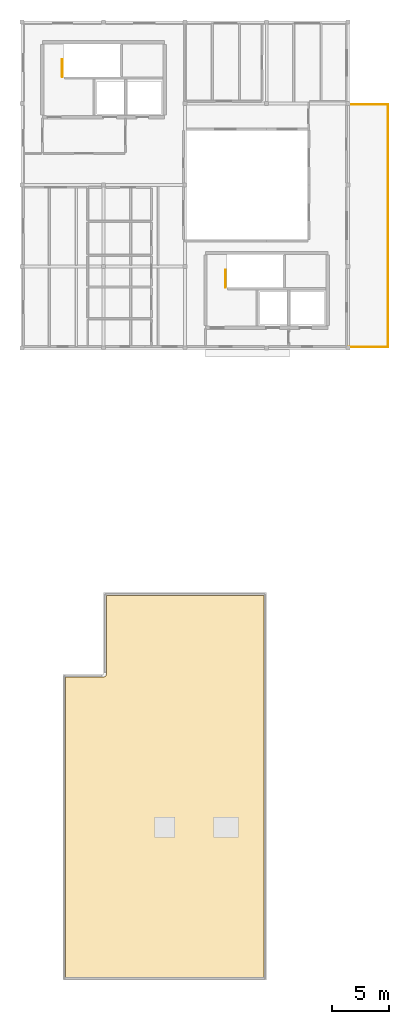
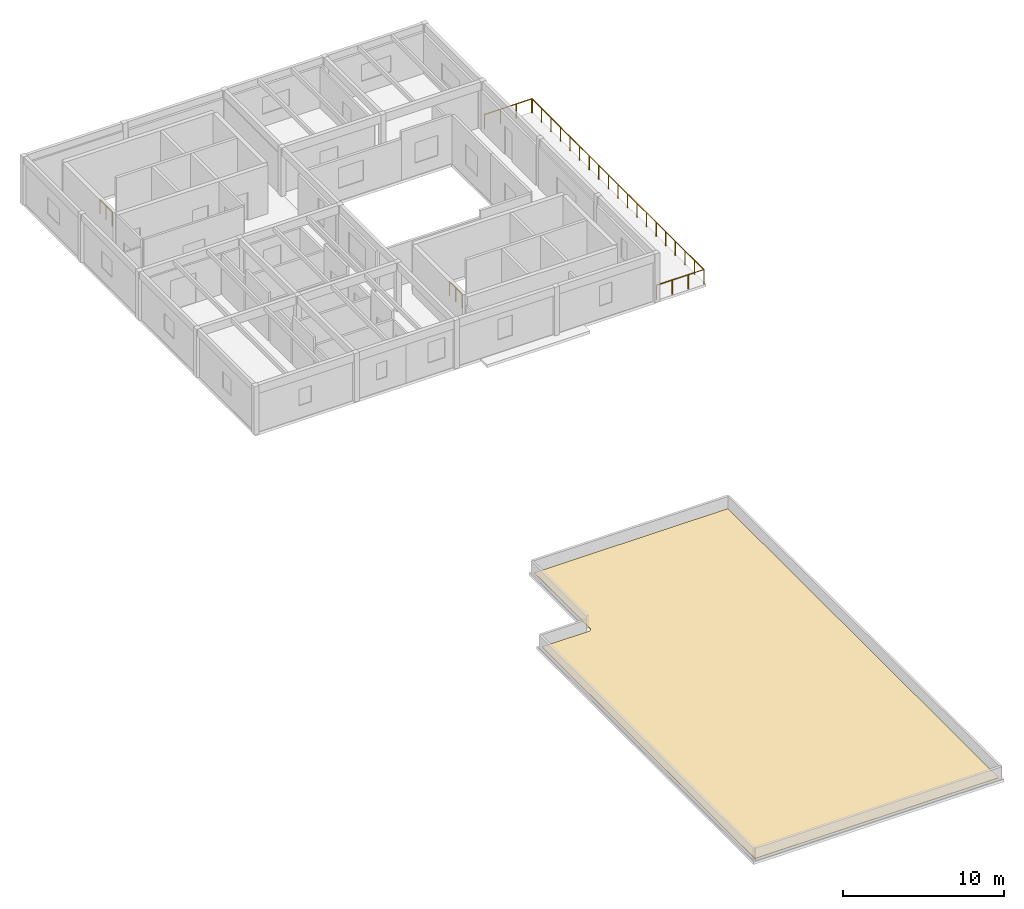
# One storey, part 5 of 5: 5 railings, 1 covering.
"""IFC4 building model written with IfcOpenShell, lengths in metres."""

from ifc_helpers import new_model, si_unit, direction, frame, origin, origin_2d, place, context, subcontext, project, spatial, polyline, circle, outline, extrude, material, layer, layer_set, type_object, element, save


model = new_model("IFC4")

# Units and contexts
model_context = context("Model", 3, precision=1e-05, world=origin(), true_north=direction((0.0, 1.0)))
body_context = subcontext(model_context, "Body", "Model", "MODEL_VIEW")
ifc_project = project(units=[si_unit("LENGTHUNIT", "METRE"), si_unit("AREAUNIT", "SQUARE_METRE"), si_unit("VOLUMEUNIT", "CUBIC_METRE"), si_unit("PLANEANGLEUNIT", "RADIAN"), si_unit("MASSUNIT", "GRAM", prefix="KILO")], contexts=[model_context])

# Site, building, storey
site_placement = place(None, origin())
site = spatial("IfcSite", under=ifc_project, at=site_placement, CompositionType="ELEMENT")
building_placement = place(site_placement, origin())
building = spatial("IfcBuilding", under=site, at=building_placement, Name="Bramvelor Terrace Health Centre", CompositionType="ELEMENT")
storey_placement = place(building_placement, frame((0.0, 0.0, 21.60009765625)))
storey = spatial("IfcBuildingStorey", under=building, at=storey_placement, Name="L06", CompositionType="ELEMENT", Elevation=21.60009765625)

# Covering
ifc_material_1 = material(Name="TPO standing-seam insulated roofing", Category="membrane")
ifc_layer = layer(ifc_material_1, 0.044921875)
ifc_layer_set = layer_set([ifc_layer], Name="TPO standing-seam insulated roofing")
covering_type = type_object("IfcCoveringType", Name="COV-ROOF-MEM", PredefinedType="ROOFING", material=ifc_layer_set)
covering_placement = place(storey_placement, origin())
element("IfcCovering", 1, at=covering_placement, inside=storey, type_object=covering_type, Name="L06 Insulated Roof Membrane 10", PredefinedType="ROOFING", context=body_context, shape_type="SweptSolid", body=[
    extrude(outline(polyline([(7.199951171875, 57.360107421875), (7.223388671875, 57.361083984375), (7.246826171875, 57.364501953125), (7.269775390625, 57.370361328125), (7.291748046875, 57.37841796875), (7.31298828125, 57.38818359375), (7.333251953125, 57.400390625), (7.352294921875, 57.41455078125), (7.36962890625, 57.430419921875), (7.385498046875, 57.44775390625), (7.399658203125, 57.466796875), (7.41162109375, 57.48681640625), (7.421630859375, 57.50830078125), (7.4296875, 57.5302734375), (7.435302734375, 57.55322265625), (7.438720703125, 57.576416015625), (7.43994140625, 57.60009765625), (7.43994140625, 64.56005859375), (21.360107421875, 64.56005859375), (21.360107421875, 30.840087890625), (3.840087890625, 30.840087890625), (3.840087890625, 57.360107421875), (7.199951171875, 57.360107421875)])), origin(), (0.0, 0.0, 1.0), 0.044921875),
])

# Railings
ifc_material_2 = material(Name="Painted galvanized steel", Category="steel")
railing_type_1 = type_object("IfcRailingType", Name="RLG-GD-1100", PredefinedType="GUARDRAIL", material=ifc_material_2)
railing_1_placement = place(storey_placement, frame((3.550048828125, 110.35009765625, 0.0)))
element("IfcRailing", 2, at=railing_1_placement, inside=storey, type_object=railing_type_1, Name="L06 ST-1 top well guard 1", PredefinedType="GUARDRAIL", context=body_context, shape_type="SweptSolid", body=[
    extrude(circle(Radius=0.02392578125, at=origin_2d()), frame((0.0, 0.0, 1.076171875), z_axis=(0.0, 1.0, 0.0), x_axis=(-1.0, 0.0, 0.0)), (0.0, 0.0, 1.0), 1.5498046875),
    extrude(circle(Radius=0.02099609375, at=origin_2d()), origin(), (0.0, 0.0, 1.0), 1.052001953125),
    extrude(circle(Radius=0.02099609375, at=origin_2d()), frame((0.0, 0.77490234375, 0.0)), (0.0, 0.0, 1.0), 1.052001953125),
    extrude(circle(Radius=0.02099609375, at=origin_2d()), frame((0.0, 1.5498046875, 0.0)), (0.0, 0.0, 1.0), 1.052001953125),
])
railing_2_placement = place(storey_placement, frame((17.949951171875, 91.75, 0.0)))
element("IfcRailing", 3, at=railing_2_placement, inside=storey, type_object=railing_type_1, Name="L06 ST-2 top well guard 1", PredefinedType="GUARDRAIL", context=body_context, shape_type="SweptSolid", body=[
    extrude(circle(Radius=0.02392578125, at=origin_2d()), frame((0.0, 0.0, 1.076171875), z_axis=(0.0, 1.0, 0.0), x_axis=(-1.0, 0.0, 0.0)), (0.0, 0.0, 1.0), 1.550048828125),
    extrude(circle(Radius=0.02099609375, at=origin_2d()), origin(), (0.0, 0.0, 1.0), 1.052001953125),
    extrude(circle(Radius=0.02099609375, at=origin_2d()), frame((0.0, 0.77490234375, 0.0)), (0.0, 0.0, 1.0), 1.052001953125),
    extrude(circle(Radius=0.02099609375, at=origin_2d()), frame((0.0, 1.550048828125, 0.0)), (0.0, 0.0, 1.0), 1.052001953125),
])
ifc_material_3 = material(Name="Laminated safety glass and stainless steel", Category="steel")
railing_type_2 = type_object("IfcRailingType", Name="RLG-TER-1100", PredefinedType="BALUSTRADE", material=ifc_material_3)
railing_3_placement = place(storey_placement, frame((32.300048828125, 107.919921875, 0.0)))
element("IfcRailing", 4, at=railing_3_placement, inside=storey, type_object=railing_type_2, Name="L06 Planted Terrace Safety Balustrade 10", PredefinedType="BALUSTRADE", context=body_context, shape_type="SweptSolid", body=[
    extrude(circle(Radius=0.02392578125, at=origin_2d()), frame((0.0, 0.0, 1.076171875), z_axis=(0.0, -1.0, 0.0), x_axis=(1.0, 0.0, 0.0)), (0.0, 0.0, 1.0), 21.43994140625),
    extrude(circle(Radius=0.02099609375, at=origin_2d()), origin(), (0.0, 0.0, 1.0), 1.052001953125),
    extrude(circle(Radius=0.02099609375, at=origin_2d()), frame((0.0, -1.191162109375, 0.0)), (0.0, 0.0, 1.0), 1.052001953125),
    extrude(circle(Radius=0.02099609375, at=origin_2d()), frame((0.0, -2.38232421875, 0.0)), (0.0, 0.0, 1.0), 1.052001953125),
    extrude(circle(Radius=0.02099609375, at=origin_2d()), frame((0.0, -3.5732421875, 0.0)), (0.0, 0.0, 1.0), 1.052001953125),
    extrude(circle(Radius=0.02099609375, at=origin_2d()), frame((0.0, -4.764404296875, 0.0)), (0.0, 0.0, 1.0), 1.052001953125),
    extrude(circle(Radius=0.02099609375, at=origin_2d()), frame((0.0, -5.95556640625, 0.0)), (0.0, 0.0, 1.0), 1.052001953125),
    extrude(circle(Radius=0.02099609375, at=origin_2d()), frame((0.0, -7.146728515625, 0.0)), (0.0, 0.0, 1.0), 1.052001953125),
    extrude(circle(Radius=0.02099609375, at=origin_2d()), frame((0.0, -8.337646484375, 0.0)), (0.0, 0.0, 1.0), 1.052001953125),
    extrude(circle(Radius=0.02099609375, at=origin_2d()), frame((0.0, -9.52880859375, 0.0)), (0.0, 0.0, 1.0), 1.052001953125),
    extrude(circle(Radius=0.02099609375, at=origin_2d()), frame((0.0, -10.719970703125, 0.0)), (0.0, 0.0, 1.0), 1.052001953125),
    extrude(circle(Radius=0.02099609375, at=origin_2d()), frame((0.0, -11.9111328125, 0.0)), (0.0, 0.0, 1.0), 1.052001953125),
    extrude(circle(Radius=0.02099609375, at=origin_2d()), frame((0.0, -13.102294921875, 0.0)), (0.0, 0.0, 1.0), 1.052001953125),
    extrude(circle(Radius=0.02099609375, at=origin_2d()), frame((0.0, -14.293212890625, 0.0)), (0.0, 0.0, 1.0), 1.052001953125),
    extrude(circle(Radius=0.02099609375, at=origin_2d()), frame((0.0, -15.484375, 0.0)), (0.0, 0.0, 1.0), 1.052001953125),
    extrude(circle(Radius=0.02099609375, at=origin_2d()), frame((0.0, -16.675537109375, 0.0)), (0.0, 0.0, 1.0), 1.052001953125),
    extrude(circle(Radius=0.02099609375, at=origin_2d()), frame((0.0, -17.86669921875, 0.0)), (0.0, 0.0, 1.0), 1.052001953125),
    extrude(circle(Radius=0.02099609375, at=origin_2d()), frame((0.0, -19.0576171875, 0.0)), (0.0, 0.0, 1.0), 1.052001953125),
    extrude(circle(Radius=0.02099609375, at=origin_2d()), frame((0.0, -20.248779296875, 0.0)), (0.0, 0.0, 1.0), 1.052001953125),
    extrude(circle(Radius=0.02099609375, at=origin_2d()), frame((0.0, -21.43994140625, 0.0)), (0.0, 0.0, 1.0), 1.052001953125),
])
railing_4_placement = place(storey_placement, frame((32.320068359375, 86.5, 0.0)))
element("IfcRailing", 5, at=railing_4_placement, inside=storey, type_object=railing_type_2, Name="L06 Planted Terrace Safety Balustrade 11", PredefinedType="BALUSTRADE", context=body_context, shape_type="SweptSolid", body=[
    extrude(circle(Radius=0.02392578125, at=origin_2d()), frame((0.0, 0.0, 1.076171875), z_axis=(-1.0, 0.0, 0.0), x_axis=(0.0, -1.0, 0.0)), (0.0, 0.0, 1.0), 3.43505859375),
    extrude(circle(Radius=0.02099609375, at=origin_2d()), origin(), (0.0, 0.0, 1.0), 1.052001953125),
    extrude(circle(Radius=0.02099609375, at=origin_2d()), frame((-1.14501953125, 0.0, 0.0)), (0.0, 0.0, 1.0), 1.052001953125),
    extrude(circle(Radius=0.02099609375, at=origin_2d()), frame((-2.2900390625, 0.0, 0.0)), (0.0, 0.0, 1.0), 1.052001953125),
    extrude(circle(Radius=0.02099609375, at=origin_2d()), frame((-3.43505859375, 0.0, 0.0)), (0.0, 0.0, 1.0), 1.052001953125),
])
railing_5_placement = place(storey_placement, frame((28.885009765625, 107.89990234375, 0.0)))
element("IfcRailing", 6, at=railing_5_placement, inside=storey, type_object=railing_type_2, Name="L06 Planted Terrace Safety Balustrade 12", PredefinedType="BALUSTRADE", context=body_context, shape_type="SweptSolid", body=[
    extrude(circle(Radius=0.02392578125, at=origin_2d()), frame((0.0, 0.0, 1.076171875), z_axis=(1.0, 0.0, 0.0), x_axis=(0.0, 1.0, 0.0)), (0.0, 0.0, 1.0), 3.43505859375),
    extrude(circle(Radius=0.02099609375, at=origin_2d()), origin(), (0.0, 0.0, 1.0), 1.052001953125),
    extrude(circle(Radius=0.02099609375, at=origin_2d()), frame((1.14501953125, 0.0, 0.0)), (0.0, 0.0, 1.0), 1.052001953125),
    extrude(circle(Radius=0.02099609375, at=origin_2d()), frame((2.2900390625, 0.0, 0.0)), (0.0, 0.0, 1.0), 1.052001953125),
    extrude(circle(Radius=0.02099609375, at=origin_2d()), frame((3.43505859375, 0.0, 0.0)), (0.0, 0.0, 1.0), 1.052001953125),
])

save(model, "model.ifc")
